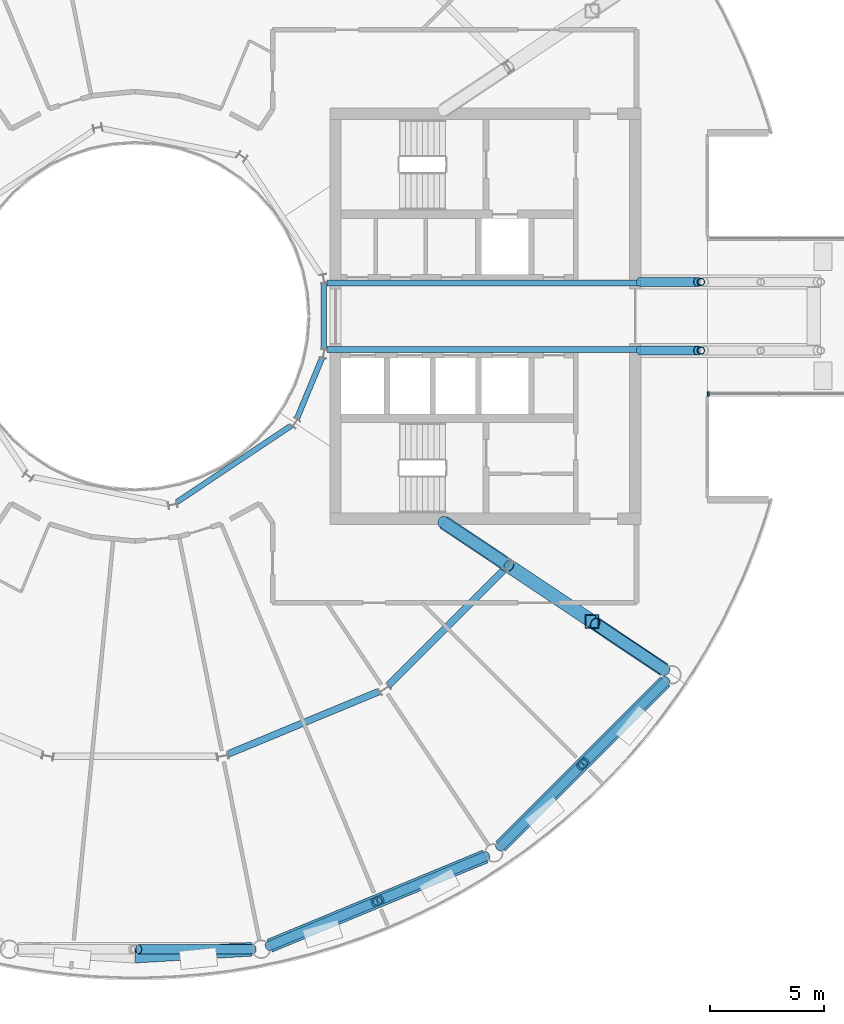
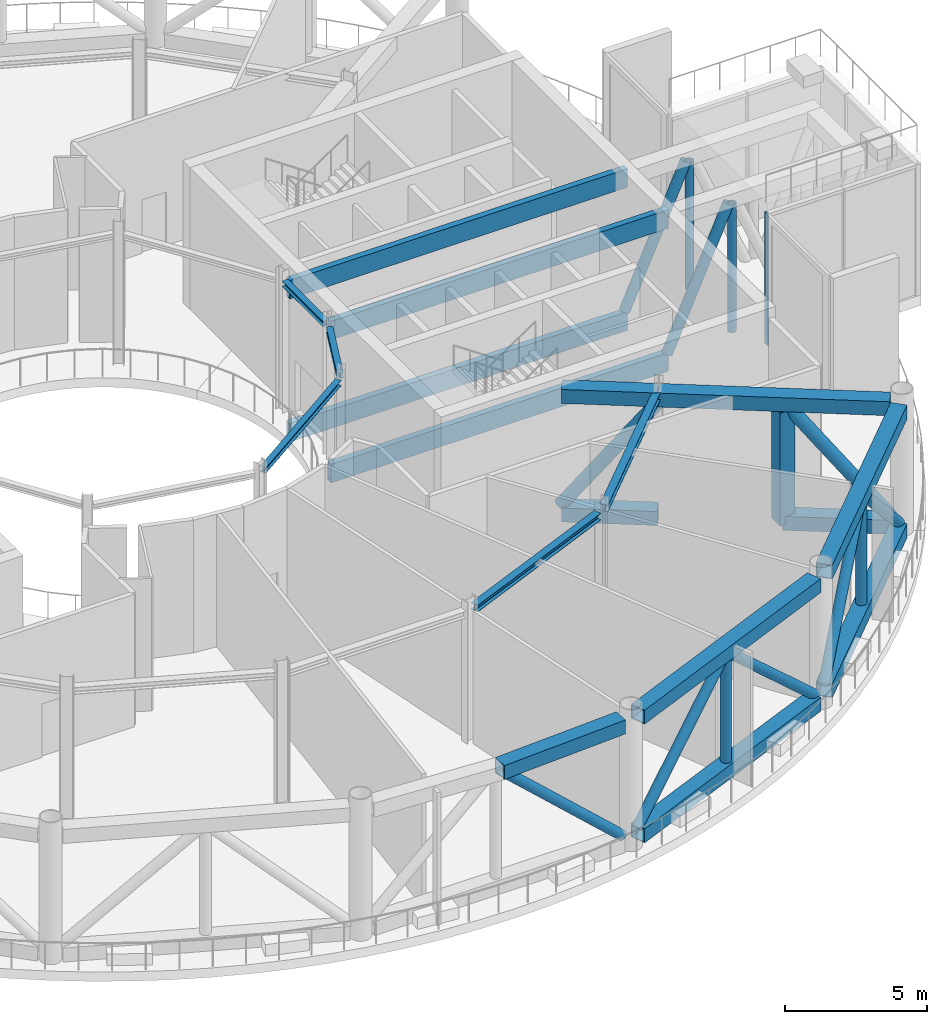
# One storey, part 7 of 24: 18 beams, 15 members, 1 element without a shape of its own.
"""IFC4 building model written with IfcOpenShell, lengths in metres."""

from ifc_helpers import new_model, si_unit, direction, frame, origin, origin_2d, place, context, subcontext, project, spatial, rectangle, hollow_rectangle, hollow_circle, i_section, extrude, material, layer, layer_set, material_profile, profile_set, type_object, element, aggregate, save


model = new_model("IFC4")

# Units and contexts
model_context = context("Model", 3, precision=1e-05, world=origin(), true_north=direction((0.0, 1.0)))
body_context = subcontext(model_context, "Body", "Model", "MODEL_VIEW")
ifc_project = project(units=[si_unit("LENGTHUNIT", "METRE"), si_unit("AREAUNIT", "SQUARE_METRE"), si_unit("VOLUMEUNIT", "CUBIC_METRE"), si_unit("PLANEANGLEUNIT", "RADIAN"), si_unit("MASSUNIT", "GRAM", prefix="KILO")], contexts=[model_context])

# Site, building, storey
site_placement = place(None, origin())
site = spatial("IfcSite", under=ifc_project, at=site_placement, CompositionType="ELEMENT")
building_placement = place(site_placement, origin())
building = spatial("IfcBuilding", under=site, at=building_placement, Name="Maasbend Ring Residences", CompositionType="ELEMENT")
storey_placement = place(building_placement, frame((0.0, 0.0, 179.89990234375)))
storey = spatial("IfcBuildingStorey", under=building, at=storey_placement, Name="L52", CompositionType="ELEMENT", Elevation=179.89990234375)

# Beams
ifc_material_1 = material(Name="Steel S460M", Category="steel")
ifc_material_profile_1 = material_profile(ifc_material_1, hollow_rectangle(XDim=0.60009765625, YDim=0.60009765625, WallThickness=0.035888671875, at=origin_2d()), Name="Belt truss chord BX 600x600x36")
ifc_profile_set_1 = profile_set([ifc_material_profile_1], Name="Steel S460M")
beam_type_1 = type_object("IfcBeamType", Name="Belt truss chord BX 600x600x36", PredefinedType="BEAM", material=ifc_profile_set_1)
beam_1_placement = place(storey_placement, frame((0.0, -27.9580078125, 5.400146484375), z_axis=(0.998273218339, 0.058741650875, 0.0), x_axis=(-0.058741650875, 0.998273218339, 0.0)))
element("IfcBeam", 1, at=beam_1_placement, inside=storey, type_object=beam_type_1, Name="Belt truss", PredefinedType="BEAM", context=body_context, shape_type="SweptSolid", body=[
    extrude(hollow_rectangle(XDim=0.60009765625, YDim=0.60009765625, WallThickness=0.035888671875, at=origin_2d()), origin(), (0.0, 0.0, 1.0), 5.103759765625),
])
for number, where, z_axis, x_axis, name in (
    (2, (5.877197265625, -27.50244140625, 0.300048828125), (0.923883676188, 0.382673428492, 0.0), (-0.382673428492, 0.923883676188, 0.0), "Belt truss"),
    (3, (5.877197265625, -27.50244140625, 5.400146484375), (0.923883676188, 0.382673428492, 0.0), (-0.382673428492, 0.923883676188, 0.0), "Belt truss"),
    (4, (15.95458984375, -23.159912109375, 0.300048828125), (0.707106781187, 0.707106781187, 0.0), (-0.707106781187, 0.707106781187, 0.0), "Belt truss"),
    (5, (15.95458984375, -23.159912109375, 5.400146484375), (0.707106781187, 0.707106781187, 0.0), (-0.707106781187, 0.707106781187, 0.0), "Belt truss"),
):
    element("IfcBeam", number, at=place(storey_placement, frame(where, z_axis=z_axis, x_axis=x_axis)), inside=storey, type_object=beam_type_1, Name=name, PredefinedType="BEAM", context=body_context, shape_type="SweptSolid", body=[
        extrude(hollow_rectangle(XDim=0.60009765625, YDim=0.60009765625, WallThickness=0.035888671875, at=origin_2d()), origin(), (0.0, 0.0, 1.0), 10.18994140625),
    ])

# Members
ifc_material_2 = material(Name="Steel S460NH", Category="steel")
ifc_material_profile_2 = material_profile(ifc_material_2, hollow_circle(Radius=0.203125, WallThickness=0.01611328125, at=origin_2d()), Name="Belt truss diagonal CHS 406.4x16")
ifc_profile_set_2 = profile_set([ifc_material_profile_2], Name="Steel S460NH")
member_type_1 = type_object("IfcMemberType", Name="Belt truss diagonal CHS 406.4x16", PredefinedType="BRACE", material=ifc_profile_set_2)
member_1_placement = place(storey_placement, frame((0.148681640625, -27.658203125, 5.150146484375), z_axis=(0.735973261866, 0.0, -0.677010603919), x_axis=(0.0, 1.0, 0.0)))
element("IfcMember", 6, at=member_1_placement, inside=storey, type_object=member_type_1, Name="Belt truss diagonal", PredefinedType="BRACE", context=body_context, shape_type="SweptSolid", body=[
    extrude(hollow_circle(Radius=0.203125, WallThickness=0.01611328125, at=origin_2d()), origin(), (0.0, 0.0, 1.0), 6.794677734375),
])
member_2_placement = place(storey_placement, frame((5.826904296875, -27.523193359375, 0.550048828125), z_axis=(0.679938177995, 0.281633749359, 0.677027699084), x_axis=(-0.382676629581, 0.923882350288, 0.0)))
element("IfcMember", 7, at=member_2_placement, inside=storey, type_object=member_type_1, Name="Belt truss diagonal", PredefinedType="BRACE", context=body_context, shape_type="SweptSolid", body=[
    extrude(hollow_circle(Radius=0.203125, WallThickness=0.01611328125, at=origin_2d()), origin(), (0.0, 0.0, 1.0), 6.79443359375),
])
member_3_placement = place(storey_placement, frame((10.7216796875, -25.495849609375, 5.150146484375), z_axis=(0.679957497264, 0.281626868715, -0.677011158499), x_axis=(-0.382659368921, 0.923889499549, 0.0)))
element("IfcMember", 8, at=member_3_placement, inside=storey, type_object=member_type_1, Name="Belt truss diagonal", PredefinedType="BRACE", context=body_context, shape_type="SweptSolid", body=[
    extrude(hollow_circle(Radius=0.203125, WallThickness=0.01611328125, at=origin_2d()), origin(), (0.0, 0.0, 1.0), 6.794677734375),
])
for number, where, z_axis, x_axis, name in (
    (9, (15.916015625, -23.198486328125, 0.550048828125), (0.520400679453, 0.520400679453, 0.677027522077), (-0.707106781187, 0.707106781187, 0.0), "Belt truss diagonal"),
    (10, (19.66259765625, -19.451904296875, 5.150146484375), (0.520400679453, 0.520400679453, -0.677027522077), (-0.707106781187, 0.707106781187, 0.0), "Belt truss diagonal"),
):
    element("IfcMember", number, at=place(storey_placement, frame(where, z_axis=z_axis, x_axis=x_axis)), inside=storey, type_object=member_type_1, Name=name, PredefinedType="BRACE", context=body_context, shape_type="SweptSolid", body=[
        extrude(hollow_circle(Radius=0.203125, WallThickness=0.01611328125, at=origin_2d()), origin(), (0.0, 0.0, 1.0), 6.79443359375),
    ])
ifc_material_3 = material(Name="Steel S460NH", Category="steel")
ifc_material_profile_3 = material_profile(ifc_material_3, hollow_circle(Radius=0.203125, WallThickness=0.01611328125, at=origin_2d()), Name="Belt truss post CHS 406.4x16")
ifc_profile_set_3 = profile_set([ifc_material_profile_3], Name="Steel S460NH")
member_type_2 = type_object("IfcMemberType", Name="Belt truss post CHS 406.4x16", PredefinedType="POST", material=ifc_profile_set_3)
for number, where, z_axis, x_axis, name in (
    (11, (10.584228515625, -25.552734375, 0.60009765625), (0.0, 0.0, 1.0), (1.0, 0.0, 0.0), "Belt truss post"),
    (12, (19.55712890625, -19.55712890625, 0.60009765625), (0.0, 0.0, 1.0), (1.0, 0.0, 0.0), "Belt truss post"),
):
    element("IfcMember", number, at=place(storey_placement, frame(where, z_axis=z_axis, x_axis=x_axis)), inside=storey, type_object=member_type_2, Name=name, PredefinedType="POST", context=body_context, shape_type="SweptSolid", body=[
        extrude(hollow_circle(Radius=0.203125, WallThickness=0.01611328125, at=origin_2d()), origin(), (0.0, 0.0, 1.0), 4.5),
    ])

# Curtain wall, member
ifc_material_4 = material(Name="Aluminium and clear glass", Category="aluminium")
ifc_layer = layer(ifc_material_4, 0.199951171875)
ifc_layer_set = layer_set([ifc_layer], Name="CW-GR")
curtain_wall_type = type_object("IfcCurtainWallType", Name="CW-GR", PredefinedType="NOTDEFINED", material=ifc_layer_set)
curtain_wall_placement = place(storey_placement, origin())
curtain_wall = element("IfcCurtainWall", 13, at=curtain_wall_placement, inside=storey, type_object=curtain_wall_type, Name="Glass lounge curtain wall south", PredefinedType="NOTDEFINED")
ifc_material_5 = material(Name="Aluminium 6063-T6", Category="aluminium")
ifc_material_profile_4 = material_profile(ifc_material_5, rectangle(XDim=0.199951171875, YDim=0.070068359375, at=origin_2d()), Name="AL 200x70")
ifc_profile_set_4 = profile_set([ifc_material_profile_4], Name="Aluminium 6063-T6")
member_type_3 = type_object("IfcMemberType", Name="CWM-GR", PredefinedType="MULLION", material=ifc_profile_set_4)
member_4_placement = place(storey_placement, frame((25.034912109375, -3.39990234375, 0.0), z_axis=(0.0, 0.0, 1.0), x_axis=(0.0, 1.0, 0.0)))
member_4 = element("IfcMember", 14, at=member_4_placement, type_object=member_type_3, Name="Mullion glass room", PredefinedType="MULLION", context=body_context, shape_type="SweptSolid", body=[
    extrude(rectangle(XDim=0.199951171875, YDim=0.070068359375, at=origin_2d()), origin(), (0.0, 0.0, 1.0), 5.650146484375),
])
aggregate(curtain_wall, [member_4])

# Beams
ifc_material_6 = material(Name="Steel S355J2", Category="steel")
ifc_material_profile_5 = material_profile(ifc_material_6, i_section(OverallWidth=0.300048828125, OverallDepth=0.2900390625, WebThickness=0.008544921875, FlangeThickness=0.013916015625, FilletRadius=0.027099609375, at=origin_2d()), Name="HEA 300")
ifc_profile_set_5 = profile_set([ifc_material_profile_5], Name="Steel S355J2")
beam_type_2 = type_object("IfcBeamType", Name="Corridor ring beam HEA 300", PredefinedType="BEAM", material=ifc_profile_set_5)
for number, where, z_axis, x_axis, name in (
    (15, (4.059326171875, -19.1259765625, 5.55517578125), (0.923871339849, 0.382703210602, 0.0), (-0.382703210602, 0.923871339849, 0.0), "Corridor ring beam"),
    (16, (11.0693359375, -16.11669921875, 5.55517578125), (0.707106781187, 0.707106781187, 0.0), (-0.707106781187, 0.707106781187, 0.0), "Corridor ring beam"),
):
    element("IfcBeam", number, at=place(storey_placement, frame(where, z_axis=z_axis, x_axis=x_axis)), inside=storey, type_object=beam_type_2, Name=name, PredefinedType="BEAM", context=body_context, shape_type="SweptSolid", body=[
        extrude(i_section(OverallWidth=0.300048828125, OverallDepth=0.2900390625, WebThickness=0.008544921875, FlangeThickness=0.013916015625, FilletRadius=0.027099609375, at=origin_2d()), origin(), (0.0, 0.0, 1.0), 7.137939453125),
    ])
ifc_material_7 = material(Name="Steel S460M", Category="steel")
ifc_material_profile_6 = material_profile(ifc_material_7, hollow_rectangle(XDim=0.25, YDim=0.800048828125, WallThickness=0.02490234375, at=origin_2d()), Name="Glass room back-span beam BX 800x250x25")
ifc_profile_set_6 = profile_set([ifc_material_profile_6], Name="Steel S460M")
beam_type_3 = type_object("IfcBeamType", Name="Glass room back-span beam BX 800x250x25", PredefinedType="BEAM", material=ifc_profile_set_6)
for number, where, z_axis, x_axis, name in (
    (17, (22.10009765625, -1.449951171875, -0.849853515625), (-1.0, 0.0, 0.0), (0.0, -1.0, 0.0), "Glass room lower back-span beam E"),
    (18, (22.10009765625, -1.449951171875, 5.300048828125), (-1.0, 0.0, 0.0), (0.0, -1.0, 0.0), "Glass room back-span beam E"),
    (19, (22.10009765625, 1.449951171875, -0.849853515625), (-1.0, 0.0, 0.0), (0.0, -1.0, 0.0), "Glass room lower back-span beam E"),
    (20, (22.10009765625, 1.449951171875, 5.300048828125), (-1.0, 0.0, 0.0), (0.0, -1.0, 0.0), "Glass room back-span beam E"),
):
    element("IfcBeam", number, at=place(storey_placement, frame(where, z_axis=z_axis, x_axis=x_axis)), inside=storey, type_object=beam_type_3, Name=name, PredefinedType="BEAM", context=body_context, shape_type="SweptSolid", body=[
        extrude(hollow_rectangle(XDim=0.25, YDim=0.800048828125, WallThickness=0.02490234375, at=origin_2d()), origin(), (0.0, 0.0, 1.0), 13.73095703125),
    ])

# Members
ifc_material_8 = material(Name="Steel S460NH", Category="steel")
ifc_material_profile_7 = material_profile(ifc_material_8, hollow_circle(Radius=0.203125, WallThickness=0.01611328125, at=origin_2d()), Name="Glass room truss diagonal CHS 406.4x16")
ifc_profile_set_7 = profile_set([ifc_material_profile_7], Name="Steel S460NH")
member_type_4 = type_object("IfcMemberType", Name="Glass room truss diagonal CHS 406.4x16", PredefinedType="BRACE", material=ifc_profile_set_7)
for number, where, z_axis, x_axis, name in (
    (21, (22.07763671875, -1.5, -0.5), (0.407545324182, 0.0, 0.913184980569), (0.0, 1.0, 0.0), "Glass room truss E diagonal"),
    (22, (22.07763671875, 1.5, -0.5), (0.407545324182, 0.0, 0.913184980569), (0.0, 1.0, 0.0), "Glass room truss E diagonal"),
):
    element("IfcMember", number, at=place(storey_placement, frame(where, z_axis=z_axis, x_axis=x_axis)), inside=storey, type_object=member_type_4, Name=name, PredefinedType="BRACE", context=body_context, shape_type="SweptSolid", body=[
        extrude(hollow_circle(Radius=0.203125, WallThickness=0.01611328125, at=origin_2d()), origin(), (0.0, 0.0, 1.0), 6.132568359375),
    ])
ifc_material_9 = material(Name="Steel S460NH", Category="steel")
ifc_material_profile_8 = material_profile(ifc_material_9, hollow_circle(Radius=0.161865234375, WallThickness=0.012451171875, at=origin_2d()), Name="Glass room truss post CHS 323.9x12.5")
ifc_profile_set_8 = profile_set([ifc_material_profile_8], Name="Steel S460NH")
member_type_5 = type_object("IfcMemberType", Name="Glass room truss post CHS 323.9x12.5", PredefinedType="POST", material=ifc_profile_set_8)
for number, where, z_axis, x_axis, name in (
    (23, (24.716796875, -1.5, -0.449951171875), (0.0, 0.0, 1.0), (1.0, 0.0, 0.0), "Glass room truss E post"),
    (24, (24.716796875, 1.5, -0.449951171875), (0.0, 0.0, 1.0), (1.0, 0.0, 0.0), "Glass room truss E post"),
):
    element("IfcMember", number, at=place(storey_placement, frame(where, z_axis=z_axis, x_axis=x_axis)), inside=storey, type_object=member_type_5, Name=name, PredefinedType="POST", context=body_context, shape_type="SweptSolid", body=[
        extrude(hollow_circle(Radius=0.161865234375, WallThickness=0.012451171875, at=origin_2d()), origin(), (0.0, 0.0, 1.0), 5.5),
    ])

# Beams
ifc_material_10 = material(Name="Steel S460M", Category="steel")
ifc_material_profile_9 = material_profile(ifc_material_10, hollow_rectangle(XDim=0.60009765625, YDim=0.60009765625, WallThickness=0.035888671875, at=origin_2d()), Name="Outrigger truss chord BX 600x600x36")
ifc_profile_set_9 = profile_set([ifc_material_profile_9], Name="Steel S460M")
beam_type_4 = type_object("IfcBeamType", Name="Outrigger truss chord BX 600x600x36", PredefinedType="BEAM", material=ifc_profile_set_9)
beam_2_placement = place(storey_placement, frame((23.109375, -15.44140625, 0.300048828125), z_axis=(-0.831444556462, 0.555607729904, 0.0), x_axis=(-0.555607729904, -0.831444556462, 0.0)))
element("IfcBeam", 25, at=beam_2_placement, inside=storey, type_object=beam_type_4, Name="Outrigger truss", PredefinedType="BEAM", context=body_context, shape_type="SweptSolid", body=[
    extrude(hollow_rectangle(XDim=0.60009765625, YDim=0.60009765625, WallThickness=0.035888671875, at=origin_2d()), origin(), (0.0, 0.0, 1.0), 3.78564453125),
])
beam_3_placement = place(storey_placement, frame((23.109375, -15.44140625, 5.400146484375), z_axis=(-0.831453297605, 0.555594648914, 0.0), x_axis=(-0.555594648914, -0.831453297605, 0.0)))
element("IfcBeam", 26, at=beam_3_placement, inside=storey, type_object=beam_type_4, Name="Outrigger truss", PredefinedType="BEAM", context=body_context, shape_type="SweptSolid", body=[
    extrude(hollow_rectangle(XDim=0.60009765625, YDim=0.60009765625, WallThickness=0.035888671875, at=origin_2d()), origin(), (0.0, 0.0, 1.0), 8.185546875),
])
for number, where, z_axis, x_axis, name in (
    (27, (16.2900390625, -10.884765625, 0.300048828125), (-0.831451918965, 0.555596712058, 0.0), (-0.555596712058, -0.831451918965, 0.0), "Outrigger truss"),
    (28, (16.2900390625, -10.884765625, 5.400146484375), (-0.831451918965, 0.555596712058, 0.0), (-0.555596712058, -0.831451918965, 0.0), "Outrigger truss"),
):
    element("IfcBeam", number, at=place(storey_placement, frame(where, z_axis=z_axis, x_axis=x_axis)), inside=storey, type_object=beam_type_4, Name=name, PredefinedType="BEAM", context=body_context, shape_type="SweptSolid", body=[
        extrude(hollow_rectangle(XDim=0.60009765625, YDim=0.60009765625, WallThickness=0.035888671875, at=origin_2d()), origin(), (0.0, 0.0, 1.0), 3.392333984375),
    ])

# Members
ifc_material_11 = material(Name="Steel S460NH", Category="steel")
ifc_material_profile_10 = material_profile(ifc_material_11, hollow_circle(Radius=0.25390625, WallThickness=0.02490234375, at=origin_2d()), Name="Outrigger truss diagonal CHS 508x25")
ifc_profile_set_10 = profile_set([ifc_material_profile_10], Name="Steel S460NH")
member_type_6 = type_object("IfcMemberType", Name="Outrigger truss diagonal CHS 508x25", PredefinedType="BRACE", material=ifc_profile_set_10)
member_5_placement = place(storey_placement, frame((23.142578125, -15.46337890625, 0.550048828125), z_axis=(-0.51783647602, 0.346013259135, 0.782381114679), x_axis=(-0.555576879921, -0.831465170946, 0.0)))
element("IfcMember", 29, at=member_5_placement, inside=storey, type_object=member_type_6, Name="Outrigger truss diagonal", PredefinedType="BRACE", context=body_context, shape_type="SweptSolid", body=[
    extrude(hollow_circle(Radius=0.25390625, WallThickness=0.02490234375, at=origin_2d()), origin(), (0.0, 0.0, 1.0), 5.879638671875),
])
member_6_placement = place(storey_placement, frame((16.321533203125, -10.90576171875, 5.150146484375), z_axis=(-0.500536047813, 0.334453517005, -0.798501415028), x_axis=(-0.555577149194, -0.831464991021, 0.0)))
element("IfcMember", 30, at=member_6_placement, inside=storey, type_object=member_type_6, Name="Outrigger truss diagonal", PredefinedType="BRACE", context=body_context, shape_type="SweptSolid", body=[
    extrude(hollow_circle(Radius=0.25390625, WallThickness=0.02490234375, at=origin_2d()), origin(), (0.0, 0.0, 1.0), 5.760986328125),
])
ifc_material_12 = material(Name="Steel S460M", Category="steel")
ifc_material_profile_11 = material_profile(ifc_material_12, hollow_rectangle(XDim=0.60009765625, YDim=0.60009765625, WallThickness=0.035888671875, at=origin_2d()), Name="Outrigger truss post BX 600x600x36")
ifc_profile_set_11 = profile_set([ifc_material_profile_11], Name="Steel S460M")
member_type_7 = type_object("IfcMemberType", Name="Outrigger truss post BX 600x600x36", PredefinedType="POST", material=ifc_profile_set_11)
member_7_placement = place(storey_placement, frame((19.9619140625, -13.338134765625, 0.25), z_axis=(0.0, 0.0, 1.0), x_axis=(1.0, 0.0, 0.0)))
element("IfcMember", 31, at=member_7_placement, inside=storey, type_object=member_type_7, Name="Outrigger truss post", PredefinedType="POST", context=body_context, shape_type="SweptSolid", body=[
    extrude(hollow_rectangle(XDim=0.60009765625, YDim=0.60009765625, WallThickness=0.035888671875, at=origin_2d()), origin(), (0.0, 0.0, 1.0), 4.85009765625),
])

# Beams
ifc_material_13 = material(Name="Steel S355J2", Category="steel")
ifc_material_profile_12 = material_profile(ifc_material_13, i_section(OverallWidth=0.239990234375, OverallDepth=0.22998046875, WebThickness=0.007568359375, FlangeThickness=0.011962890625, FilletRadius=0.02099609375, at=origin_2d()), Name="HEA 240")
ifc_profile_set_12 = profile_set([ifc_material_profile_12], Name="Steel S355J2")
beam_type_5 = type_object("IfcBeamType", Name="Well edge beam HEA 240", PredefinedType="BEAM", material=ifc_profile_set_12)
beam_4_placement = place(storey_placement, frame((1.814208984375, -8.121337890625, 5.585205078125), z_axis=(0.831480850227, 0.555553413909, 0.0), x_axis=(-0.555553413909, 0.831480850227, 0.0)))
element("IfcBeam", 32, at=beam_4_placement, inside=storey, type_object=beam_type_5, Name="Well edge beam", PredefinedType="BEAM", context=body_context, shape_type="SweptSolid", body=[
    extrude(i_section(OverallWidth=0.239990234375, OverallDepth=0.22998046875, WebThickness=0.007568359375, FlangeThickness=0.011962890625, FilletRadius=0.02099609375, at=origin_2d()), origin(), (0.0, 0.0, 1.0), 6.0068359375),
])
for number, where, z_axis, x_axis, name in (
    (33, (7.060302734375, -4.483154296875, 5.585205078125), (0.382748596828, 0.923852537814, 0.0), (-0.923852537814, 0.382748596828, 0.0), "Well edge beam"),
    (34, (8.238525390625, -1.43994140625, 5.585205078125), (0.0, 1.0, 0.0), (-1.0, 0.0, 0.0), "Well edge beam"),
):
    element("IfcBeam", number, at=place(storey_placement, frame(where, z_axis=z_axis, x_axis=x_axis)), inside=storey, type_object=beam_type_5, Name=name, PredefinedType="BEAM", context=body_context, shape_type="SweptSolid", body=[
        extrude(i_section(OverallWidth=0.239990234375, OverallDepth=0.22998046875, WebThickness=0.007568359375, FlangeThickness=0.011962890625, FilletRadius=0.02099609375, at=origin_2d()), origin(), (0.0, 0.0, 1.0), 2.8798828125),
    ])

save(model, "model.ifc")
